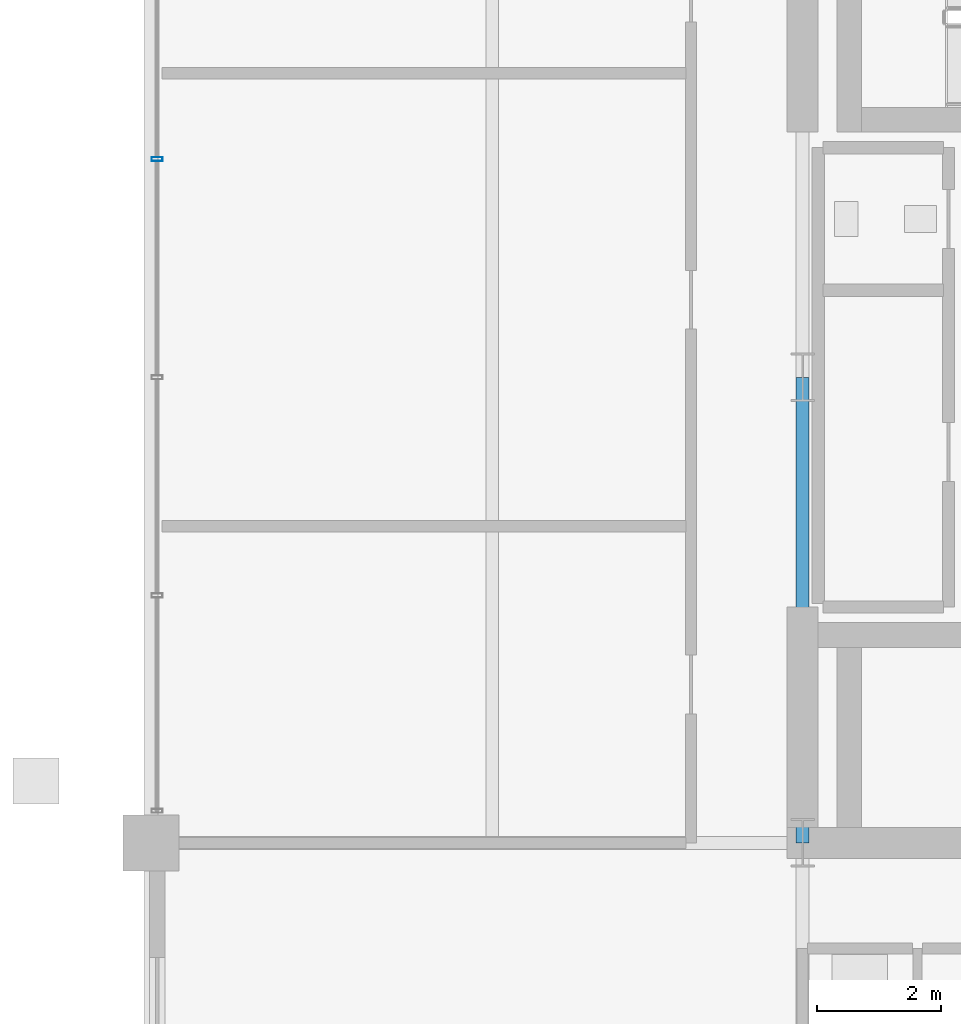
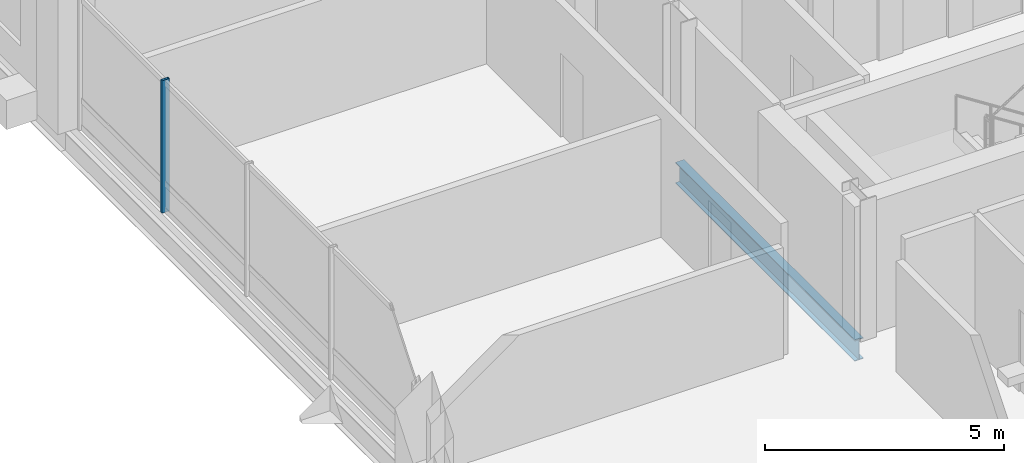
# One storey, part 7 of 21: 1 beam, 1 member, 1 element without a shape of its own.
"""IFC4 building model written with IfcOpenShell, lengths in metres."""

import ifcopenshell
import ifcopenshell.guid

model = None  # the IFC model being written
_history = None  # IfcOwnerHistory: only IFC2X3 demands one
_inside = {}  # id of a spatial element -> (the spatial element, [elements in it])
_under = {}  # id of a project, library or spatial element -> (it, [spatial elements below it])
_declared = {}  # id of a project -> (the project, [libraries it declares])
_typed = {}  # id of a type object -> (the type object, [elements of that type])
_made_of = {}  # id of a material, layer set ... -> (it, [elements and type objects made of it])


def new_model(schema):
    """Start an empty IFC model of exactly this schema.

    Asked for "IFC4X3", IfcOpenShell would pick the latest addendum, in which some entities
    have other attributes; the version numbers below select the first issue.
    IFC2X3 requires an IfcOwnerHistory on every rooted entity: one is made here for all.
    """
    global model, _history
    if schema == "IFC4X3":
        model = ifcopenshell.file(schema_version=(4, 3, 0, 0))
    else:
        model = ifcopenshell.file(schema=schema)
    _inside.clear()
    _under.clear()
    _declared.clear()
    _typed.clear()
    _made_of.clear()
    _history = None
    if model.schema == "IFC2X3":
        org = make("IfcOrganization", Name="unknown")
        user = make(
            "IfcPersonAndOrganization",
            ThePerson=make("IfcPerson", FamilyName="unknown"),
            TheOrganization=org,
        )
        app = make(
            "IfcApplication",
            ApplicationDeveloper=org,
            Version="unknown",
            ApplicationFullName="unknown",
            ApplicationIdentifier="unknown",
        )
        _history = make(
            "IfcOwnerHistory",
            OwningUser=user,
            OwningApplication=app,
            ChangeAction="ADDED",
            CreationDate=0,
        )
    return model


def make(cls, **values):
    """One entity of the class cls with the attributes given. An attribute that is None is left unset."""
    return model.create_entity(
        cls, **{name: value for name, value in values.items() if value is not None}
    )


def rooted(cls, **values):
    """An entity with a GlobalId (a new one), such as an element, a storey or a relation."""
    return make(cls, GlobalId=ifcopenshell.guid.new(), OwnerHistory=_history, **values)


def si_unit(unit_type, name, prefix=None):
    """IfcSIUnit, for example si_unit("LENGTHUNIT", "METRE", prefix="MILLI")."""
    return make("IfcSIUnit", UnitType=unit_type, Prefix=prefix, Name=name)


def assignment(units):
    """IfcUnitAssignment: the units of a project."""
    return None if units is None else make("IfcUnitAssignment", Units=units)


def point(xyz):
    """IfcCartesianPoint."""
    return None if xyz is None else make("IfcCartesianPoint", Coordinates=xyz)


def direction(xyz):
    """IfcDirection."""
    return None if xyz is None else make("IfcDirection", DirectionRatios=xyz)


def frame(location, z_axis=None, x_axis=None):
    """IfcAxis2Placement3D, a coordinate frame: its origin and axes. An axis left out is left unset."""
    return make(
        "IfcAxis2Placement3D",
        Location=point(location),
        Axis=direction(z_axis),
        RefDirection=direction(x_axis),
    )


def frame_2d(location, x_axis=None):
    """IfcAxis2Placement2D, a coordinate frame in the plane: its origin and x axis."""
    return make(
        "IfcAxis2Placement2D", Location=point(location), RefDirection=direction(x_axis)
    )


def origin():
    """The frame at (0, 0, 0) with its axes left unset."""
    return frame((0.0, 0.0, 0.0))


def origin_2d():
    """The frame at (0, 0) in the plane with its x axis left unset."""
    return frame_2d((0.0, 0.0))


def place(relative_to, where):
    """IfcLocalPlacement: puts the frame where relative to a parent placement (None: the world)."""
    return make(
        "IfcLocalPlacement", PlacementRelTo=relative_to, RelativePlacement=where
    )


def context(
    kind, dimensions, precision=None, world=None, true_north=None, identifier=None
):
    """IfcGeometricRepresentationContext, for example the 3D "Model" context."""
    return make(
        "IfcGeometricRepresentationContext",
        ContextIdentifier=identifier,
        ContextType=kind,
        CoordinateSpaceDimension=dimensions,
        Precision=precision,
        WorldCoordinateSystem=world,
        TrueNorth=true_north,
    )


def subcontext(parent, identifier, kind, view, scale=None):
    """IfcGeometricRepresentationSubContext, for example "Body" below "Model"."""
    return make(
        "IfcGeometricRepresentationSubContext",
        ContextIdentifier=identifier,
        ContextType=kind,
        ParentContext=parent,
        TargetScale=scale,
        TargetView=view,
    )


def project(units=None, contexts=None):
    """IfcProject with its units and contexts."""
    return rooted(
        "IfcProject",
        Name="project",
        RepresentationContexts=contexts,
        UnitsInContext=assignment(units),
    )


def spatial(cls, under=None, at=None, **own):
    """A site, building, storey or space (cls), placed at a placement, below another one or the project."""
    s = rooted(cls, ObjectPlacement=at, **own)
    if under is not None:
        _under.setdefault(under.id(), (under, []))[1].append(s)
    return s


def profile(cls, at=None, kind="AREA", **sizes):
    """A parametric profile (cls). Its sizes go by their IFC names, for example OverallWidth=200.0."""
    return make(cls, ProfileType=kind, Position=at, **sizes)


def hollow_rectangle(**sizes):
    """IfcRectangleHollowProfileDef."""
    return profile("IfcRectangleHollowProfileDef", **sizes)


def i_section(**sizes):
    """IfcIShapeProfileDef."""
    return profile("IfcIShapeProfileDef", **sizes)


def extrude(swept, where, along, depth):
    """IfcExtrudedAreaSolid: the profile swept, set in the frame where, extruded along a direction by depth."""
    return make(
        "IfcExtrudedAreaSolid",
        SweptArea=swept,
        Position=where,
        ExtrudedDirection=direction(along),
        Depth=depth,
    )


def shape(context_of_items, identifier, shape_type, items):
    """IfcShapeRepresentation: the items that make up one representation, for example the "Body"."""
    return make(
        "IfcShapeRepresentation",
        ContextOfItems=context_of_items,
        RepresentationIdentifier=identifier,
        RepresentationType=shape_type,
        Items=items,
    )


def material(Name=None, Category=None):
    """IfcMaterial."""
    return make("IfcMaterial", Name=Name, Category=Category)


def layer(
    of_material, thickness, ventilated=None, Name=None, Category=None, Priority=None
):
    """IfcMaterialLayer: one layer of a wall or slab, of a material (None: an air gap)."""
    return make(
        "IfcMaterialLayer",
        Material=of_material,
        LayerThickness=thickness,
        IsVentilated=ventilated,
        Name=Name,
        Category=Category,
        Priority=Priority,
    )


def layer_set(layers, Name=None):
    """IfcMaterialLayerSet."""
    return make("IfcMaterialLayerSet", MaterialLayers=layers, LayerSetName=Name)


def material_profile(
    of_material, cross_section, Name=None, Category=None, Priority=None
):
    """IfcMaterialProfile: a cross section and its material."""
    return make(
        "IfcMaterialProfile",
        Name=Name,
        Material=of_material,
        Profile=cross_section,
        Priority=Priority,
        Category=Category,
    )


def profile_set(profiles, Name=None, composite=None):
    """IfcMaterialProfileSet."""
    return make(
        "IfcMaterialProfileSet",
        Name=Name,
        MaterialProfiles=profiles,
        CompositeProfile=composite,
    )


def made_of(thing, what):
    """Note that an element or type object is made of a material, layer set ...; save() writes the relation."""
    if what is not None:
        _made_of.setdefault(what.id(), (what, []))[1].append(thing)
    return thing


def type_object(cls, material=None, **own):
    """A type object (cls), such as IfcWallType, which elements share."""
    return made_of(rooted(cls, **own), material)


def element(
    cls,
    number,
    at=None,
    inside=None,
    cuts=None,
    type_object=None,
    material=None,
    context=None,
    identifier="Body",
    shape_type=None,
    held_by="IfcProductDefinitionShape",
    body=None,
    shapes=None,
    **own,
):
    """One element of the class cls, such as IfcWall. Its Tag is "e" and its number.

    at: its placement. inside: the storey or other place that contains it. cuts: it is an
    opening in that element (IfcRelVoidsElement). A single representation is given by context,
    identifier, shape_type and body (its items); several are given by shapes. held_by: the class
    of the entity that holds the representations. save() writes the other relations.
    """
    e = rooted(cls, Tag="e%d" % number, ObjectPlacement=at, **own)
    if body is not None:
        shapes = [shape(context, identifier, shape_type, body)]
    if shapes is not None:
        e.Representation = make(held_by, Representations=shapes)
    if inside is not None:
        _inside.setdefault(inside.id(), (inside, []))[1].append(e)
    if cuts is not None:
        rooted(
            "IfcRelVoidsElement", RelatingBuildingElement=cuts, RelatedOpeningElement=e
        )
    if type_object is not None:
        _typed.setdefault(type_object.id(), (type_object, []))[1].append(e)
    return made_of(e, material)


def aggregate(whole, parts):
    """IfcRelAggregates: a whole, such as a stair, and the parts it consists of."""
    return rooted("IfcRelAggregates", RelatingObject=whole, RelatedObjects=parts)


def save(model, path):
    """Write the relations noted so far, then the file.

    IfcRelAggregates (storeys below a building ...), IfcRelContainedInSpatialStructure (elements
    in a storey), IfcRelDefinesByType, IfcRelAssociatesMaterial and IfcRelDeclares: one each for
    every whole, place, type object, material and project.
    """
    for whole, parts in _under.values():
        aggregate(whole, parts)
    for where, things in _inside.values():
        rooted(
            "IfcRelContainedInSpatialStructure",
            RelatedElements=things,
            RelatingStructure=where,
        )
    for kind, things in _typed.values():
        rooted("IfcRelDefinesByType", RelatedObjects=things, RelatingType=kind)
    for what, things in _made_of.values():
        rooted("IfcRelAssociatesMaterial", RelatedObjects=things, RelatingMaterial=what)
    for by, libraries in _declared.values():
        rooted("IfcRelDeclares", RelatingContext=by, RelatedDefinitions=libraries)
    model.write(path)


model = new_model("IFC4")

# Units and contexts
model_context = context("Model", 3, precision=1e-05, world=origin(), true_north=direction((0.0, 1.0)))
body_context = subcontext(model_context, "Body", "Model", "MODEL_VIEW")
ifc_project = project(units=[si_unit("LENGTHUNIT", "METRE"), si_unit("AREAUNIT", "SQUARE_METRE"), si_unit("VOLUMEUNIT", "CUBIC_METRE"), si_unit("PLANEANGLEUNIT", "RADIAN"), si_unit("MASSUNIT", "GRAM", prefix="KILO")], contexts=[model_context])

# Site, building, storey
site_placement = place(None, origin())
site = spatial("IfcSite", under=ifc_project, at=site_placement, CompositionType="ELEMENT")
building_placement = place(site_placement, origin())
building = spatial("IfcBuilding", under=site, at=building_placement, Name="Barlavira Tower and Art Museum", CompositionType="ELEMENT")
storey_placement = place(building_placement, frame((0.0, 0.0, 233.10009765625)))
storey = spatial("IfcBuildingStorey", under=building, at=storey_placement, Name="L60", CompositionType="ELEMENT", Elevation=233.10009765625)

# Curtain wall, member
ifc_material_1 = material(Name="Low-iron coastal laminated glass", Category="glass")
ifc_layer = layer(ifc_material_1, 0.2099609375, Name="Low-iron coastal laminated glass")
ifc_layer_set = layer_set([ifc_layer], Name="Low-iron coastal laminated glass")
curtain_wall_type = type_object("IfcCurtainWallType", Name="Pale-Metal Unitised Curtain Wall Zone 4", PredefinedType="NOTDEFINED", material=ifc_layer_set)
curtain_wall_placement = place(storey_placement, origin())
curtain_wall = element("IfcCurtainWall", 1, at=curtain_wall_placement, inside=storey, type_object=curtain_wall_type, Name="L60 Curtain Wall CW4-L60-W-B3", PredefinedType="NOTDEFINED")
ifc_material_2 = material(Name="Pale anodised aluminium", Category="aluminium")
ifc_material_profile_1 = material_profile(ifc_material_2, hollow_rectangle(XDim=0.06494140625, YDim=0.179931640625, WallThickness=0.00390625, at=origin_2d()), Name="ALU-MULL 65x180x4")
ifc_profile_set_1 = profile_set([ifc_material_profile_1], Name="Pale anodised aluminium")
member_type = type_object("IfcMemberType", Name="Curtain Wall Pale-Metal Mullion 65x180", PredefinedType="MULLION", material=ifc_profile_set_1)
member_placement = place(storey_placement, frame((-16.89990234375, 3.514892578125, 0.0), z_axis=(0.0, 0.0, 1.0), x_axis=(0.0, -1.0, 0.0)))
member = element("IfcMember", 2, at=member_placement, type_object=member_type, Name="CW4-L60-W-B3 Mullion 1", PredefinedType="MULLION", context=body_context, shape_type="SweptSolid", body=[
    extrude(hollow_rectangle(XDim=0.06494140625, YDim=0.179931640625, WallThickness=0.00390625, at=origin_2d()), origin(), (0.0, 0.0, 1.0), 3.3798828125),
])
aggregate(curtain_wall, [member])

# Beam
ifc_material_3 = material(Name="Steel S355", Category="steel")
ifc_material_profile_2 = material_profile(ifc_material_3, i_section(OverallWidth=0.2109375, OverallDepth=0.5390625, WebThickness=0.01171875, FlangeThickness=0.018798828125, at=origin_2d()), Name="W530x109.0")
ifc_profile_set_2 = profile_set([ifc_material_profile_2], Name="Steel S355")
beam_type = type_object("IfcBeamType", Name="Zone 3-4 Primary Floor Girder W530x109 Steel S355", PredefinedType="BEAM", material=ifc_profile_set_2)
beam_placement = place(storey_placement, frame((-6.5, -7.5, -0.489501953125), z_axis=(0.0, 1.0, 0.0), x_axis=(-1.0, 0.0, 0.0)))
element("IfcBeam", 3, at=beam_placement, inside=storey, type_object=beam_type, Name="L60 Girder C-W1", PredefinedType="BEAM", context=body_context, shape_type="SweptSolid", body=[
    extrude(i_section(OverallWidth=0.2109375, OverallDepth=0.5390625, WebThickness=0.01171875, FlangeThickness=0.018798828125, at=origin_2d()), origin(), (0.0, 0.0, 1.0), 7.5),
])

save(model, "model.ifc")
